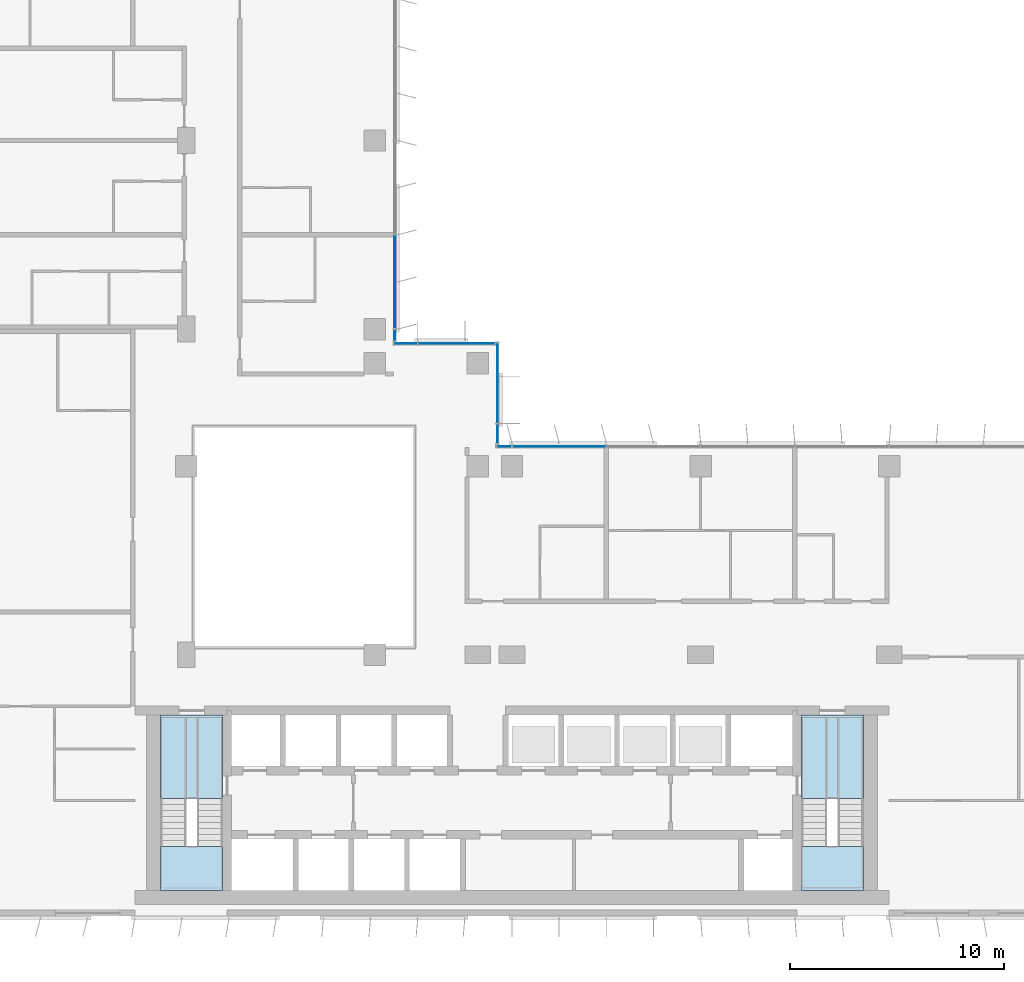
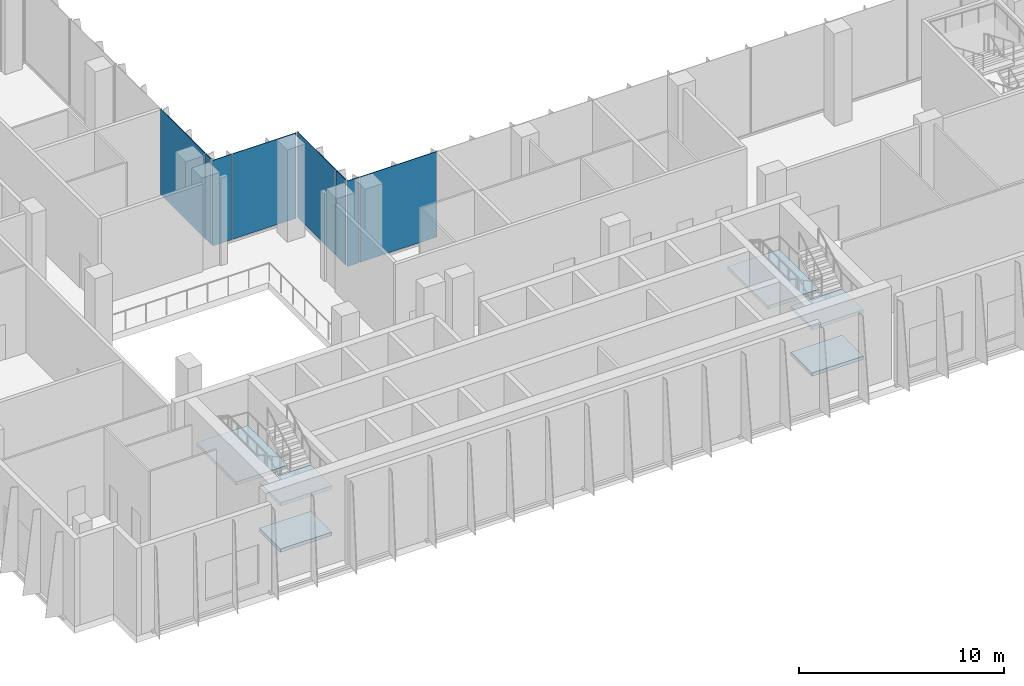
# One storey, part 9 of 24: 8 plates, 6 slabs, 6 elements without a shape of their own.
"""IFC4 building model written with IfcOpenShell, lengths in metres."""

from ifc_helpers import new_model, si_unit, direction, frame, origin, origin_2d, place, context, subcontext, project, spatial, polyline, rectangle, outline, extrude, source, transform, mapped, material, layer, layer_set, type_object, element, aggregate, save


model = new_model("IFC4")

# Units and contexts
model_context = context("Model", 3, precision=1e-05, world=origin(), true_north=direction((0.0, 1.0)))
body_context = subcontext(model_context, "Body", "Model", "MODEL_VIEW")
ifc_project = project(units=[si_unit("LENGTHUNIT", "METRE"), si_unit("AREAUNIT", "SQUARE_METRE"), si_unit("VOLUMEUNIT", "CUBIC_METRE"), si_unit("PLANEANGLEUNIT", "RADIAN"), si_unit("MASSUNIT", "GRAM", prefix="KILO")], contexts=[model_context])

# Site, building, storey
site_placement = place(None, origin())
site = spatial("IfcSite", under=ifc_project, at=site_placement, CompositionType="ELEMENT")
building_placement = place(site_placement, origin())
building = spatial("IfcBuilding", under=site, at=building_placement, Name="Kemantara Hotel Tower", CompositionType="ELEMENT")
storey_placement = place(building_placement, frame((0.0, 0.0, 202.5)))
storey = spatial("IfcBuildingStorey", under=building, at=storey_placement, Name="L50", CompositionType="ELEMENT", Elevation=202.5)

# Stair, slabs
ifc_material_1 = material(Name="Concrete fc 40 MPa", Category="concrete")
stair_type = type_object("IfcStairType", Name="Stair 1200 wide 36 risers of 153 x 280 mm", PredefinedType="HALF_TURN_STAIR", material=ifc_material_1)
stair_1_placement = place(storey_placement, origin())
stair_1 = element("IfcStair", 1, at=stair_1_placement, inside=storey, type_object=stair_type, Name="L50 Exit stair ST1", PredefinedType="HALF_TURN_STAIR")
ifc_layer_1 = layer(ifc_material_1, 0.199951171875)
ifc_layer_set_1 = layer_set([ifc_layer_1], Name="Concrete fc 40 MPa")
slab_type = type_object("IfcSlabType", Name="Stair landing 200 mm", PredefinedType="LANDING", material=ifc_layer_set_1)
slab_1_placement = place(storey_placement, frame((0.0, 0.0, 1.175048828125)))
slab_1 = element("IfcSlab", 2, at=slab_1_placement, type_object=slab_type, Name="ST1 landing 1", PredefinedType="LANDING", context=body_context, shape_type="SweptSolid", body=[
    extrude(outline(polyline([(11.0, 3.260009765625), (11.0, 1.199951171875), (13.89990234375, 1.199951171875), (13.89990234375, 3.260009765625), (11.0, 3.260009765625)])), origin(), (0.0, 0.0, 1.0), 0.199951171875),
])
slab_2_placement = place(storey_placement, frame((0.0, 0.0, 2.550048828125)))
slab_2 = element("IfcSlab", 3, at=slab_2_placement, type_object=slab_type, Name="ST1 landing 2", PredefinedType="LANDING", context=body_context, shape_type="SweptSolid", body=[
    extrude(outline(polyline([(11.0, 9.39990234375), (11.0, 5.5), (13.89990234375, 5.5), (13.89990234375, 9.39990234375), (11.0, 9.39990234375)])), origin(), (0.0, 0.0, 1.0), 0.199951171875),
])
slab_3_placement = place(storey_placement, frame((0.0, 0.0, 3.925048828125)))
slab_3 = element("IfcSlab", 4, at=slab_3_placement, type_object=slab_type, Name="ST1 landing 3", PredefinedType="LANDING", context=body_context, shape_type="SweptSolid", body=[
    extrude(outline(polyline([(11.0, 3.260009765625), (11.0, 1.199951171875), (13.89990234375, 1.199951171875), (13.89990234375, 3.260009765625), (11.0, 3.260009765625)])), origin(), (0.0, 0.0, 1.0), 0.199951171875),
])
aggregate(stair_1, [slab_1, slab_2, slab_3])

stair_2_placement = place(storey_placement, origin())
stair_2 = element("IfcStair", 5, at=stair_2_placement, inside=storey, type_object=stair_type, Name="L50 Exit stair ST2", PredefinedType="HALF_TURN_STAIR")
slab_4_placement = place(storey_placement, frame((0.0, 0.0, 1.175048828125)))
slab_4 = element("IfcSlab", 6, at=slab_4_placement, type_object=slab_type, Name="ST2 landing 1", PredefinedType="LANDING", context=body_context, shape_type="SweptSolid", body=[
    extrude(outline(polyline([(40.89990234375, 3.260009765625), (40.89990234375, 1.199951171875), (43.800048828125, 1.199951171875), (43.800048828125, 3.260009765625), (40.89990234375, 3.260009765625)])), origin(), (0.0, 0.0, 1.0), 0.199951171875),
])
slab_5_placement = place(storey_placement, frame((0.0, 0.0, 2.550048828125)))
slab_5 = element("IfcSlab", 7, at=slab_5_placement, type_object=slab_type, Name="ST2 landing 2", PredefinedType="LANDING", context=body_context, shape_type="SweptSolid", body=[
    extrude(outline(polyline([(40.89990234375, 9.39990234375), (40.89990234375, 5.5), (43.800048828125, 5.5), (43.800048828125, 9.39990234375), (40.89990234375, 9.39990234375)])), origin(), (0.0, 0.0, 1.0), 0.199951171875),
])
slab_6_placement = place(storey_placement, frame((0.0, 0.0, 3.925048828125)))
slab_6 = element("IfcSlab", 8, at=slab_6_placement, type_object=slab_type, Name="ST2 landing 3", PredefinedType="LANDING", context=body_context, shape_type="SweptSolid", body=[
    extrude(outline(polyline([(40.89990234375, 3.260009765625), (40.89990234375, 1.199951171875), (43.800048828125, 1.199951171875), (43.800048828125, 3.260009765625), (40.89990234375, 3.260009765625)])), origin(), (0.0, 0.0, 1.0), 0.199951171875),
])
aggregate(stair_2, [slab_4, slab_5, slab_6])

# Curtain wall, plate
ifc_material_2 = material(Name="Low-E tinted double insulated glass 36 mm", Category="glass")
curtain_wall_type = type_object("IfcCurtainWallType", Name="TOWER CURTAIN WALL, FRONT FACES", PredefinedType="USERDEFINED", material=ifc_material_2)
curtain_wall_1_placement = place(storey_placement, origin())
curtain_wall_1 = element("IfcCurtainWall", 9, at=curtain_wall_1_placement, inside=storey, type_object=curtain_wall_type, Name="CW4 L50 T3S-R00-1", ObjectType="TOWER CURTAIN WALL, FRONT FACES", PredefinedType="USERDEFINED")
ifc_layer_2 = layer(ifc_material_2, 0.035888671875)
ifc_layer_set_2 = layer_set([ifc_layer_2], Name="Low-E tinted double insulated glass 36 mm")
plate_type = type_object("IfcPlateType", Name="TOWER CURTAIN WALL, FRONT FACES PANEL", PredefinedType="CURTAIN_PANEL", material=ifc_layer_set_2)
shared_shape_1 = source(origin(), body_context, "Body", "SweptSolid", [
    extrude(rectangle(XDim=4.340087890625, YDim=0.035888671875, at=origin_2d()), origin(), (0.0, 0.0, 1.0), 5.080078125),
])
plate_1_placement = place(storey_placement, frame((21.925048828125, 29.60009765625, 0.119873046875), z_axis=(0.0, 0.0, 1.0), x_axis=(0.0, 1.0, 0.0)))
plate_1 = element("IfcPlate", 10, at=plate_1_placement, type_object=plate_type, Name="CW4 glass panel T3S-R00-1.2", PredefinedType="CURTAIN_PANEL", context=body_context, shape_type="MappedRepresentation", body=[
    mapped(shared_shape_1, transform((0.0, 0.0, 0.0))),
])

# Curtain wall, plates
curtain_wall_2_placement = place(storey_placement, origin())
curtain_wall_2 = element("IfcCurtainWall", 11, at=curtain_wall_2_placement, inside=storey, type_object=curtain_wall_type, Name="CW4 L50 T3S-R15-1", ObjectType="TOWER CURTAIN WALL, FRONT FACES", PredefinedType="USERDEFINED")
plate_2_placement = place(storey_placement, frame((29.60009765625, 21.925048828125, 0.119873046875), z_axis=(0.0, 0.0, 1.0), x_axis=(-1.0, 0.0, 0.0)))
plate_2 = element("IfcPlate", 12, at=plate_2_placement, type_object=plate_type, Name="CW4 glass panel T3S-R15-1.8", PredefinedType="CURTAIN_PANEL", context=body_context, shape_type="MappedRepresentation", body=[
    mapped(shared_shape_1, transform((0.0, 0.0, 0.0))),
])
shared_shape_2 = source(origin(), body_context, "Body", "SweptSolid", [
    extrude(rectangle(XDim=0.659912109375, YDim=0.035888671875, at=origin_2d()), origin(), (0.0, 0.0, 1.0), 5.080078125),
])
plate_3_placement = place(storey_placement, frame((27.0400390625, 21.925048828125, 0.119873046875), z_axis=(0.0, 0.0, 1.0), x_axis=(-1.0, 0.0, 0.0)))
plate_3 = element("IfcPlate", 13, at=plate_3_placement, type_object=plate_type, Name="CW4 glass panel T3S-R15-1.9", PredefinedType="CURTAIN_PANEL", context=body_context, shape_type="MappedRepresentation", body=[
    mapped(shared_shape_2, transform((0.0, 0.0, 0.0))),
])
aggregate(curtain_wall_2, [plate_2, plate_3])

# Curtain wall, plate
curtain_wall_3_placement = place(storey_placement, origin())
curtain_wall_3 = element("IfcCurtainWall", 14, at=curtain_wall_3_placement, inside=storey, type_object=curtain_wall_type, Name="CW4 L50 T3S-R16-1", ObjectType="TOWER CURTAIN WALL, FRONT FACES", PredefinedType="USERDEFINED")
shared_shape_3 = source(origin(), body_context, "Body", "SweptSolid", [
    extrude(rectangle(XDim=0.909912109375, YDim=0.035888671875, at=origin_2d()), origin(), (0.0, 0.0, 1.0), 5.080078125),
])
plate_4_placement = place(storey_placement, frame((26.72509765625, 22.514892578125, 0.119873046875), z_axis=(0.0, 0.0, 1.0), x_axis=(0.0, 1.0, 0.0)))
plate_4 = element("IfcPlate", 15, at=plate_4_placement, type_object=plate_type, Name="CW4 glass panel T3S-R16-1.1", PredefinedType="CURTAIN_PANEL", context=body_context, shape_type="MappedRepresentation", body=[
    mapped(shared_shape_3, transform((0.0, 0.0, 0.0))),
])

# Plate
shared_shape_4 = source(origin(), body_context, "Body", "SweptSolid", [
    extrude(rectangle(XDim=0.510009765625, YDim=0.035888671875, at=origin_2d()), origin(), (0.0, 0.0, 1.0), 5.080078125),
])
plate_5_placement = place(storey_placement, frame((21.925048828125, 27.114990234375, 0.119873046875), z_axis=(0.0, 0.0, 1.0), x_axis=(0.0, 1.0, 0.0)))
plate_5 = element("IfcPlate", 16, at=plate_5_placement, type_object=plate_type, Name="CW4 glass panel T3S-R00-1.1", PredefinedType="CURTAIN_PANEL", context=body_context, shape_type="MappedRepresentation", body=[
    mapped(shared_shape_4, transform((0.0, 0.0, 0.0))),
])

aggregate(curtain_wall_1, [plate_5, plate_1])

shared_shape_5 = source(origin(), body_context, "Body", "SweptSolid", [
    extrude(rectangle(XDim=3.7099609375, YDim=0.035888671875, at=origin_2d()), origin(), (0.0, 0.0, 1.0), 5.080078125),
])
plate_6_placement = place(storey_placement, frame((26.72509765625, 24.885009765625, 0.119873046875), z_axis=(0.0, 0.0, 1.0), x_axis=(0.0, 1.0, 0.0)))
plate_6 = element("IfcPlate", 17, at=plate_6_placement, type_object=plate_type, Name="CW4 glass panel T3S-R16-1.2", PredefinedType="CURTAIN_PANEL", context=body_context, shape_type="MappedRepresentation", body=[
    mapped(shared_shape_5, transform((0.0, 0.0, 0.0))),
])

aggregate(curtain_wall_3, [plate_4, plate_6])

# Curtain wall, plates
curtain_wall_4_placement = place(storey_placement, origin())
curtain_wall_4 = element("IfcCurtainWall", 18, at=curtain_wall_4_placement, inside=storey, type_object=curtain_wall_type, Name="CW4 L50 T3S-R17-1", ObjectType="TOWER CURTAIN WALL, FRONT FACES", PredefinedType="USERDEFINED")
shared_shape_6 = source(origin(), body_context, "Body", "SweptSolid", [
    extrude(rectangle(XDim=3.56005859375, YDim=0.035888671875, at=origin_2d()), origin(), (0.0, 0.0, 1.0), 5.080078125),
])
plate_7_placement = place(storey_placement, frame((24.81005859375, 26.72509765625, 0.119873046875), z_axis=(0.0, 0.0, 1.0), x_axis=(-1.0, 0.0, 0.0)))
plate_7 = element("IfcPlate", 19, at=plate_7_placement, type_object=plate_type, Name="CW4 glass panel T3S-R17-1.1", PredefinedType="CURTAIN_PANEL", context=body_context, shape_type="MappedRepresentation", body=[
    mapped(shared_shape_6, transform((0.0, 0.0, 0.0))),
])
shared_shape_7 = source(origin(), body_context, "Body", "SweptSolid", [
    extrude(rectangle(XDim=1.06005859375, YDim=0.035888671875, at=origin_2d()), origin(), (0.0, 0.0, 1.0), 5.080078125),
])
plate_8_placement = place(storey_placement, frame((22.43994140625, 26.72509765625, 0.119873046875), z_axis=(0.0, 0.0, 1.0), x_axis=(-1.0, 0.0, 0.0)))
plate_8 = element("IfcPlate", 20, at=plate_8_placement, type_object=plate_type, Name="CW4 glass panel T3S-R17-1.2", PredefinedType="CURTAIN_PANEL", context=body_context, shape_type="MappedRepresentation", body=[
    mapped(shared_shape_7, transform((0.0, 0.0, 0.0))),
])
aggregate(curtain_wall_4, [plate_7, plate_8])

save(model, "model.ifc")
